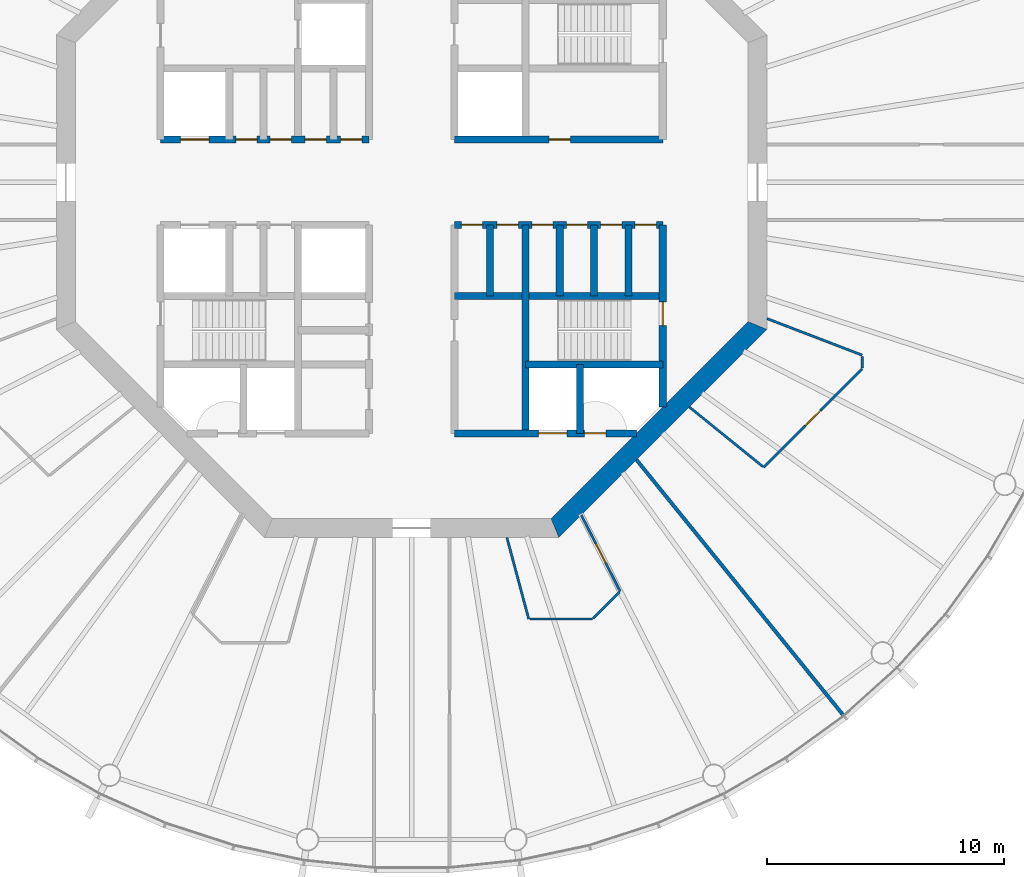
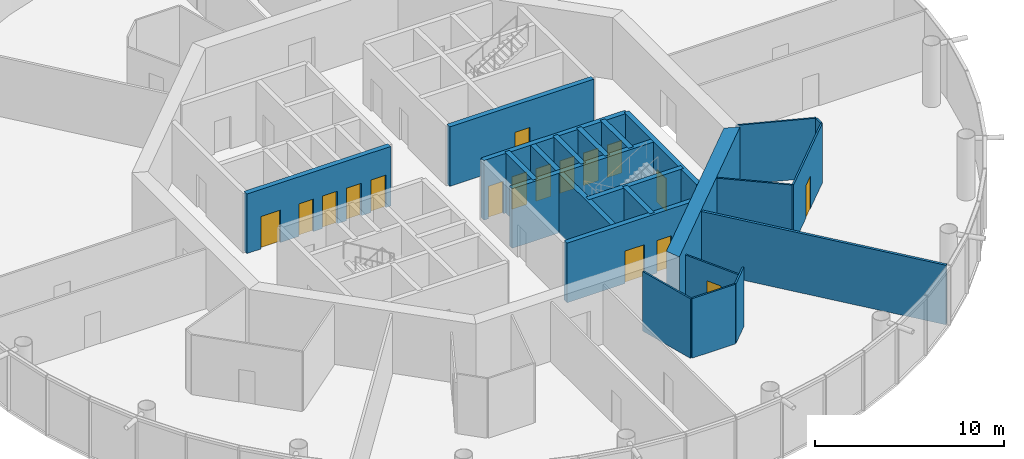
# One storey, part 4 of 13: 23 walls, 17 doors, 17 openings.
"""IFC4 building model written with IfcOpenShell, lengths in metres."""

from ifc_helpers import new_model, si_unit, direction, frame, frame_2d, origin, place, context, subcontext, project, spatial, polyline, rectangle, outline, extrude, material, layer, layer_set, type_object, element, fill, save


model = new_model("IFC4")

# Units and contexts
model_context = context("Model", 3, precision=1e-05, world=origin(), true_north=direction((0.0, 1.0)))
body_context = subcontext(model_context, "Body", "Model", "MODEL_VIEW")
ifc_project = project(units=[si_unit("LENGTHUNIT", "METRE"), si_unit("AREAUNIT", "SQUARE_METRE"), si_unit("VOLUMEUNIT", "CUBIC_METRE"), si_unit("PLANEANGLEUNIT", "RADIAN"), si_unit("MASSUNIT", "GRAM", prefix="KILO")], contexts=[model_context])

# Site, building, storey
site_placement = place(None, origin())
site = spatial("IfcSite", under=ifc_project, at=site_placement, CompositionType="ELEMENT")
building_placement = place(site_placement, origin())
building = spatial("IfcBuilding", under=site, at=building_placement, Name="Entoto Ring Tower", CompositionType="ELEMENT")
storey_placement = place(building_placement, frame((0.0, 0.0, 290.0)))
storey = spatial("IfcBuildingStorey", under=building, at=storey_placement, Name="L66", CompositionType="ELEMENT", Elevation=290.0)

# Wall, opening, door
ifc_material_1 = material(Name="Concrete C40/50", Category="concrete")
ifc_layer_1 = layer(ifc_material_1, 0.300048828125)
ifc_layer_set_1 = layer_set([ifc_layer_1], Name="Concrete C40/50")
wall_type_1 = type_object("IfcWallType", Name="Core enclosure wall 300 mm reinforced concrete", PredefinedType="SOLIDWALL", material=ifc_layer_set_1)
wall_1_placement = place(storey_placement, frame((100.60009765625, 70.518310546875, 0.0), z_axis=(0.0, 0.0, 1.0), x_axis=(0.0, 1.0, 0.0)))
wall_1 = element("IfcWall", 1, at=wall_1_placement, inside=storey, type_object=wall_type_1, Name="wall-L66-001", PredefinedType="SOLIDWALL", context=body_context, shape_type="SweptSolid", body=[
    extrude(rectangle(XDim=7.681640625, YDim=0.300048828125, at=frame_2d((3.8408203125, 0.0))), origin(), (0.0, 0.0, 1.0), 3.85009765625),
])
opening_1_placement = place(wall_1_placement, frame((3.431884765625, 0.0, 0.0)))
opening_1 = element("IfcOpeningElement", 2, at=opening_1_placement, cuts=wall_1, Name="Opening K-31", PredefinedType="OPENING", context=body_context, shape_type="SweptSolid", body=[
    extrude(rectangle(XDim=1.0, YDim=2.10009765625, at=frame_2d((0.5, 1.050048828125))), frame((0.0, 0.16015625, 0.0), z_axis=(0.0, -1.0, 0.0), x_axis=(1.0, 0.0, 0.0)), (0.0, 0.0, 1.0), 0.320068359375),
])
ifc_material_2 = material(Name="Steel door leaf, fire rated", Category="steel")
ifc_layer_2 = layer(ifc_material_2, 0.050048828125)
ifc_layer_set_2 = layer_set([ifc_layer_2], Name="Steel door leaf, fire rated")
door_type_1 = type_object("IfcDoorType", Name="Fire door FD60 1000 x 2100 single leaf", OperationType="NOTDEFINED", PredefinedType="DOOR", material=ifc_layer_set_2)
door_1_placement = place(opening_1_placement, origin())
door_1 = element("IfcDoor", 3, at=door_1_placement, inside=storey, type_object=door_type_1, Name="Door K-31", OperationType="SINGLE_SWING_RIGHT", OverallHeight=2.10009765625, OverallWidth=1.0, PredefinedType="DOOR", context=body_context, shape_type="SweptSolid", body=[
    extrude(rectangle(XDim=1.0, YDim=2.10009765625, at=frame_2d((0.5, 1.050048828125))), frame((0.0, 0.02490234375, 0.0), z_axis=(0.0, -1.0, 0.0), x_axis=(1.0, 0.0, 0.0)), (0.0, 0.0, 1.0), 0.050048828125),
])
fill(opening_1, door_1)

# Walls
for number, where, z_axis, x_axis, name in (
    (4, (99.14990234375, 75.199951171875, 0.0), (0.0, 0.0, 1.0), (0.0, 1.0, 0.0), "wall-L66-003"),
    (5, (97.699951171875, 75.199951171875, 0.0), (0.0, 0.0, 1.0), (0.0, 1.0, 0.0), "wall-L66-004"),
):
    element("IfcWall", number, at=place(storey_placement, frame(where, z_axis=z_axis, x_axis=x_axis)), inside=storey, type_object=wall_type_1, Name=name, PredefinedType="SOLIDWALL", context=body_context, shape_type="SweptSolid", body=[
        extrude(rectangle(XDim=3.0, YDim=0.300048828125, at=frame_2d((1.5, 0.0))), origin(), (0.0, 0.0, 1.0), 3.85009765625),
    ])
wall_2_placement = place(storey_placement, frame((97.10009765625, 69.39990234375, 0.0), z_axis=(0.0, 0.0, 1.0), x_axis=(0.0, 1.0, 0.0)))
element("IfcWall", 6, at=wall_2_placement, inside=storey, type_object=wall_type_1, Name="wall-L66-005", PredefinedType="SOLIDWALL", context=body_context, shape_type="SweptSolid", body=[
    extrude(rectangle(XDim=2.900146484375, YDim=0.300048828125, at=frame_2d((1.4501953125, 0.0))), origin(), (0.0, 0.0, 1.0), 3.85009765625),
])
wall_3_placement = place(storey_placement, frame((96.25, 75.199951171875, 0.0), z_axis=(0.0, 0.0, 1.0), x_axis=(0.0, 1.0, 0.0)))
element("IfcWall", 7, at=wall_3_placement, inside=storey, type_object=wall_type_1, Name="wall-L66-007", PredefinedType="SOLIDWALL", context=body_context, shape_type="SweptSolid", body=[
    extrude(rectangle(XDim=3.0, YDim=0.300048828125, at=frame_2d((1.5, 0.0))), origin(), (0.0, 0.0, 1.0), 3.85009765625),
])
wall_4_placement = place(storey_placement, frame((94.800048828125, 69.39990234375, 0.0), z_axis=(0.0, 0.0, 1.0), x_axis=(0.0, 1.0, 0.0)))
element("IfcWall", 8, at=wall_4_placement, inside=storey, type_object=wall_type_1, Name="wall-L66-008", PredefinedType="SOLIDWALL", context=body_context, shape_type="SweptSolid", body=[
    extrude(rectangle(XDim=8.800048828125, YDim=0.300048828125, at=frame_2d((4.39990234375, 0.0))), origin(), (0.0, 0.0, 1.0), 3.85009765625),
])
wall_5_placement = place(storey_placement, frame((93.300048828125, 75.199951171875, 0.0), z_axis=(0.0, 0.0, 1.0), x_axis=(0.0, 1.0, 0.0)))
element("IfcWall", 9, at=wall_5_placement, inside=storey, type_object=wall_type_1, Name="wall-L66-010", PredefinedType="SOLIDWALL", context=body_context, shape_type="SweptSolid", body=[
    extrude(rectangle(XDim=3.0, YDim=0.300048828125, at=frame_2d((1.5, 0.0))), origin(), (0.0, 0.0, 1.0), 3.85009765625),
])

# Wall, openings, doors
wall_6_placement = place(storey_placement, frame((91.800048828125, 69.39990234375, 0.0), z_axis=(0.0, 0.0, 1.0), x_axis=(1.0, 0.0, 0.0)))
wall_6 = element("IfcWall", 10, at=wall_6_placement, inside=storey, type_object=wall_type_1, Name="wall-L66-026", PredefinedType="SOLIDWALL", context=body_context, shape_type="SweptSolid", body=[
    extrude(rectangle(XDim=7.681640625, YDim=0.300048828125, at=frame_2d((3.8408203125, 0.0))), origin(), (0.0, 0.0, 1.0), 3.85009765625),
])
opening_2_placement = place(wall_6_placement, frame((3.550048828125, 0.0, 0.0)))
opening_2 = element("IfcOpeningElement", 11, at=opening_2_placement, cuts=wall_6, Name="Opening LD", PredefinedType="OPENING", context=body_context, shape_type="SweptSolid", body=[
    extrude(rectangle(XDim=1.199951171875, YDim=2.10009765625, at=frame_2d((0.60009765625, 1.050048828125))), frame((0.0, 0.16015625, 0.0), z_axis=(0.0, -1.0, 0.0), x_axis=(1.0, 0.0, 0.0)), (0.0, 0.0, 1.0), 0.320068359375),
])
opening_3_placement = place(wall_6_placement, frame((5.5, 0.0, 0.0)))
opening_3 = element("IfcOpeningElement", 12, at=opening_3_placement, cuts=wall_6, Name="Opening K-34", PredefinedType="OPENING", context=body_context, shape_type="SweptSolid", body=[
    extrude(rectangle(XDim=0.89990234375, YDim=2.10009765625, at=frame_2d((0.449951171875, 1.050048828125))), frame((0.0, 0.16015625, 0.0), z_axis=(0.0, -1.0, 0.0), x_axis=(1.0, 0.0, 0.0)), (0.0, 0.0, 1.0), 0.320068359375),
])
ifc_material_3 = material(Name="Steel and glass door leaf", Category="steel")
ifc_layer_3 = layer(ifc_material_3, 0.050048828125)
ifc_layer_set_3 = layer_set([ifc_layer_3], Name="Steel and glass door leaf")
door_type_2 = type_object("IfcDoorType", Name="Landing door 1200 x 2100 sliding", OperationType="DOUBLE_DOOR_SLIDING", PredefinedType="DOOR", material=ifc_layer_set_3)
door_2_placement = place(opening_2_placement, origin())
door_2 = element("IfcDoor", 13, at=door_2_placement, inside=storey, type_object=door_type_2, Name="Landing door LB2-HR", OperationType="SLIDING_TO_RIGHT", OverallHeight=2.10009765625, OverallWidth=1.199951171875, PredefinedType="DOOR", context=body_context, shape_type="SweptSolid", body=[
    extrude(rectangle(XDim=1.199951171875, YDim=2.10009765625, at=frame_2d((0.60009765625, 1.050048828125))), frame((0.0, 0.02490234375, 0.0), z_axis=(0.0, -1.0, 0.0), x_axis=(1.0, 0.0, 0.0)), (0.0, 0.0, 1.0), 0.050048828125),
])
fill(opening_2, door_2)
ifc_material_4 = material(Name="Steel door leaf, fire rated", Category="steel")
ifc_layer_4 = layer(ifc_material_4, 0.050048828125)
ifc_layer_set_4 = layer_set([ifc_layer_4], Name="Steel door leaf, fire rated")
door_type_3 = type_object("IfcDoorType", Name="Riser door FD60 900 x 2100 single leaf", OperationType="NOTDEFINED", PredefinedType="DOOR", material=ifc_layer_set_4)
door_3_placement = place(opening_3_placement, origin())
door_3 = element("IfcDoor", 14, at=door_3_placement, inside=storey, type_object=door_type_3, Name="Door K-34", OperationType="SINGLE_SWING_LEFT", OverallHeight=2.10009765625, OverallWidth=0.89990234375, PredefinedType="DOOR", context=body_context, shape_type="SweptSolid", body=[
    extrude(rectangle(XDim=0.89990234375, YDim=2.10009765625, at=frame_2d((0.449951171875, 1.050048828125))), frame((0.0, 0.02490234375, 0.0), z_axis=(0.0, -1.0, 0.0), x_axis=(1.0, 0.0, 0.0)), (0.0, 0.0, 1.0), 0.050048828125),
])
fill(opening_3, door_3)

# Walls
wall_7_placement = place(storey_placement, frame((94.800048828125, 72.300048828125, 0.0), z_axis=(0.0, 0.0, 1.0), x_axis=(1.0, 0.0, 0.0)))
element("IfcWall", 15, at=wall_7_placement, inside=storey, type_object=wall_type_1, Name="wall-L66-028", PredefinedType="SOLIDWALL", context=body_context, shape_type="SweptSolid", body=[
    extrude(rectangle(XDim=5.800048828125, YDim=0.300048828125, at=frame_2d((2.89990234375, 0.0))), origin(), (0.0, 0.0, 1.0), 3.85009765625),
])
wall_8_placement = place(storey_placement, frame((91.800048828125, 75.199951171875, 0.0), z_axis=(0.0, 0.0, 1.0), x_axis=(1.0, 0.0, 0.0)))
element("IfcWall", 16, at=wall_8_placement, inside=storey, type_object=wall_type_1, Name="wall-L66-031", PredefinedType="SOLIDWALL", context=body_context, shape_type="SweptSolid", body=[
    extrude(rectangle(XDim=8.800048828125, YDim=0.300048828125, at=frame_2d((4.39990234375, 0.0))), origin(), (0.0, 0.0, 1.0), 3.85009765625),
])

# Wall, openings, doors
wall_9_placement = place(storey_placement, frame((91.800048828125, 78.199951171875, 0.0), z_axis=(0.0, 0.0, 1.0), x_axis=(1.0, 0.0, 0.0)))
wall_9 = element("IfcWall", 17, at=wall_9_placement, inside=storey, type_object=wall_type_1, Name="wall-L66-033", PredefinedType="SOLIDWALL", context=body_context, shape_type="SweptSolid", body=[
    extrude(rectangle(XDim=8.800048828125, YDim=0.300048828125, at=frame_2d((4.39990234375, 0.0))), origin(), (0.0, 0.0, 1.0), 3.85009765625),
])
opening_4_placement = place(wall_9_placement, frame((3.27490234375, 0.0, 0.0)))
opening_4 = element("IfcOpeningElement", 18, at=opening_4_placement, cuts=wall_9, Name="Opening K-14", PredefinedType="OPENING", context=body_context, shape_type="SweptSolid", body=[
    extrude(rectangle(XDim=0.89990234375, YDim=2.10009765625, at=frame_2d((0.449951171875, 1.050048828125))), frame((0.0, 0.16015625, 0.0), z_axis=(0.0, -1.0, 0.0), x_axis=(1.0, 0.0, 0.0)), (0.0, 0.0, 1.0), 0.320068359375),
])
opening_5_placement = place(wall_9_placement, frame((4.72509765625, 0.0, 0.0)))
opening_5 = element("IfcOpeningElement", 19, at=opening_5_placement, cuts=wall_9, Name="Opening K-15", PredefinedType="OPENING", context=body_context, shape_type="SweptSolid", body=[
    extrude(rectangle(XDim=0.89990234375, YDim=2.10009765625, at=frame_2d((0.449951171875, 1.050048828125))), frame((0.0, 0.16015625, 0.0), z_axis=(0.0, -1.0, 0.0), x_axis=(1.0, 0.0, 0.0)), (0.0, 0.0, 1.0), 0.320068359375),
])
opening_6_placement = place(wall_9_placement, frame((6.175048828125, 0.0, 0.0)))
opening_6 = element("IfcOpeningElement", 20, at=opening_6_placement, cuts=wall_9, Name="Opening K-16", PredefinedType="OPENING", context=body_context, shape_type="SweptSolid", body=[
    extrude(rectangle(XDim=0.89990234375, YDim=2.10009765625, at=frame_2d((0.449951171875, 1.050048828125))), frame((0.0, 0.16015625, 0.0), z_axis=(0.0, -1.0, 0.0), x_axis=(1.0, 0.0, 0.0)), (0.0, 0.0, 1.0), 0.320068359375),
])
opening_7_placement = place(wall_9_placement, frame((7.625, 0.0, 0.0)))
opening_7 = element("IfcOpeningElement", 21, at=opening_7_placement, cuts=wall_9, Name="Opening K-57", PredefinedType="OPENING", context=body_context, shape_type="SweptSolid", body=[
    extrude(rectangle(XDim=0.89990234375, YDim=2.10009765625, at=frame_2d((0.449951171875, 1.050048828125))), frame((0.0, 0.16015625, 0.0), z_axis=(0.0, -1.0, 0.0), x_axis=(1.0, 0.0, 0.0)), (0.0, 0.0, 1.0), 0.320068359375),
])
opening_8_placement = place(wall_9_placement, frame((0.300048828125, 0.0, 0.0)))
opening_8 = element("IfcOpeningElement", 22, at=opening_8_placement, cuts=wall_9, Name="Opening K-79", PredefinedType="OPENING", context=body_context, shape_type="SweptSolid", body=[
    extrude(rectangle(XDim=0.89990234375, YDim=2.10009765625, at=frame_2d((0.449951171875, 1.050048828125))), frame((0.0, 0.16015625, 0.0), z_axis=(0.0, -1.0, 0.0), x_axis=(1.0, 0.0, 0.0)), (0.0, 0.0, 1.0), 0.320068359375),
])
opening_9_placement = place(wall_9_placement, frame((1.800048828125, 0.0, 0.0)))
opening_9 = element("IfcOpeningElement", 23, at=opening_9_placement, cuts=wall_9, Name="Opening K-81", PredefinedType="OPENING", context=body_context, shape_type="SweptSolid", body=[
    extrude(rectangle(XDim=0.89990234375, YDim=2.10009765625, at=frame_2d((0.449951171875, 1.050048828125))), frame((0.0, 0.16015625, 0.0), z_axis=(0.0, -1.0, 0.0), x_axis=(1.0, 0.0, 0.0)), (0.0, 0.0, 1.0), 0.320068359375),
])
ifc_material_5 = material(Name="Steel door leaf, fire rated", Category="steel")
ifc_layer_5 = layer(ifc_material_5, 0.050048828125)
ifc_layer_set_5 = layer_set([ifc_layer_5], Name="Steel door leaf, fire rated")
door_type_4 = type_object("IfcDoorType", Name="Core door 900 x 2100 single leaf", OperationType="NOTDEFINED", PredefinedType="DOOR", material=ifc_layer_set_5)
door_4_placement = place(opening_4_placement, frame((0.89990234375, 0.0, 0.0), z_axis=(0.0, 0.0, 1.0), x_axis=(-1.0, 0.0, 0.0)))
door_4 = element("IfcDoor", 24, at=door_4_placement, inside=storey, type_object=door_type_4, Name="Door K-14", OperationType="SINGLE_SWING_LEFT", OverallHeight=2.10009765625, OverallWidth=0.89990234375, PredefinedType="DOOR", context=body_context, shape_type="SweptSolid", body=[
    extrude(rectangle(XDim=0.89990234375, YDim=2.10009765625, at=frame_2d((0.449951171875, 1.050048828125))), frame((0.0, 0.02490234375, 0.0), z_axis=(0.0, -1.0, 0.0), x_axis=(1.0, 0.0, 0.0)), (0.0, 0.0, 1.0), 0.050048828125),
])
fill(opening_4, door_4)
door_5_placement = place(opening_5_placement, frame((0.89990234375, 0.0, 0.0), z_axis=(0.0, 0.0, 1.0), x_axis=(-1.0, 0.0, 0.0)))
door_5 = element("IfcDoor", 25, at=door_5_placement, inside=storey, type_object=door_type_4, Name="Door K-15", OperationType="SINGLE_SWING_RIGHT", OverallHeight=2.10009765625, OverallWidth=0.89990234375, PredefinedType="DOOR", context=body_context, shape_type="SweptSolid", body=[
    extrude(rectangle(XDim=0.89990234375, YDim=2.10009765625, at=frame_2d((0.449951171875, 1.050048828125))), frame((0.0, 0.02490234375, 0.0), z_axis=(0.0, -1.0, 0.0), x_axis=(1.0, 0.0, 0.0)), (0.0, 0.0, 1.0), 0.050048828125),
])
fill(opening_5, door_5)
door_6_placement = place(opening_6_placement, frame((0.89990234375, 0.0, 0.0), z_axis=(0.0, 0.0, 1.0), x_axis=(-1.0, 0.0, 0.0)))
door_6 = element("IfcDoor", 26, at=door_6_placement, inside=storey, type_object=door_type_4, Name="Door K-16", OperationType="SINGLE_SWING_RIGHT", OverallHeight=2.10009765625, OverallWidth=0.89990234375, PredefinedType="DOOR", context=body_context, shape_type="SweptSolid", body=[
    extrude(rectangle(XDim=0.89990234375, YDim=2.10009765625, at=frame_2d((0.449951171875, 1.050048828125))), frame((0.0, 0.02490234375, 0.0), z_axis=(0.0, -1.0, 0.0), x_axis=(1.0, 0.0, 0.0)), (0.0, 0.0, 1.0), 0.050048828125),
])
fill(opening_6, door_6)
door_7_placement = place(opening_7_placement, frame((0.89990234375, 0.0, 0.0), z_axis=(0.0, 0.0, 1.0), x_axis=(-1.0, 0.0, 0.0)))
door_7 = element("IfcDoor", 27, at=door_7_placement, inside=storey, type_object=door_type_4, Name="Door K-57", OperationType="SINGLE_SWING_RIGHT", OverallHeight=2.10009765625, OverallWidth=0.89990234375, PredefinedType="DOOR", context=body_context, shape_type="SweptSolid", body=[
    extrude(rectangle(XDim=0.89990234375, YDim=2.10009765625, at=frame_2d((0.449951171875, 1.050048828125))), frame((0.0, 0.02490234375, 0.0), z_axis=(0.0, -1.0, 0.0), x_axis=(1.0, 0.0, 0.0)), (0.0, 0.0, 1.0), 0.050048828125),
])
fill(opening_7, door_7)
door_8_placement = place(opening_8_placement, frame((0.89990234375, 0.0, 0.0), z_axis=(0.0, 0.0, 1.0), x_axis=(-1.0, 0.0, 0.0)))
door_8 = element("IfcDoor", 28, at=door_8_placement, inside=storey, type_object=door_type_4, Name="Door K-79", OperationType="SINGLE_SWING_RIGHT", OverallHeight=2.10009765625, OverallWidth=0.89990234375, PredefinedType="DOOR", context=body_context, shape_type="SweptSolid", body=[
    extrude(rectangle(XDim=0.89990234375, YDim=2.10009765625, at=frame_2d((0.449951171875, 1.050048828125))), frame((0.0, 0.02490234375, 0.0), z_axis=(0.0, -1.0, 0.0), x_axis=(1.0, 0.0, 0.0)), (0.0, 0.0, 1.0), 0.050048828125),
])
fill(opening_8, door_8)
door_9_placement = place(opening_9_placement, frame((0.89990234375, 0.0, 0.0), z_axis=(0.0, 0.0, 1.0), x_axis=(-1.0, 0.0, 0.0)))
door_9 = element("IfcDoor", 29, at=door_9_placement, inside=storey, type_object=door_type_4, Name="Door K-81", OperationType="SINGLE_SWING_RIGHT", OverallHeight=2.10009765625, OverallWidth=0.89990234375, PredefinedType="DOOR", context=body_context, shape_type="SweptSolid", body=[
    extrude(rectangle(XDim=0.89990234375, YDim=2.10009765625, at=frame_2d((0.449951171875, 1.050048828125))), frame((0.0, 0.02490234375, 0.0), z_axis=(0.0, -1.0, 0.0), x_axis=(1.0, 0.0, 0.0)), (0.0, 0.0, 1.0), 0.050048828125),
])
fill(opening_9, door_9)

wall_10_placement = place(storey_placement, frame((79.39990234375, 81.800048828125, 0.0), z_axis=(0.0, 0.0, 1.0), x_axis=(1.0, 0.0, 0.0)))
wall_10 = element("IfcWall", 30, at=wall_10_placement, inside=storey, type_object=wall_type_1, Name="wall-L66-034", PredefinedType="SOLIDWALL", context=body_context, shape_type="SweptSolid", body=[
    extrude(rectangle(XDim=8.800048828125, YDim=0.300048828125, at=frame_2d((4.39990234375, 0.0))), origin(), (0.0, 0.0, 1.0), 3.85009765625),
])
opening_10_placement = place(wall_10_placement, frame((0.85009765625, 0.0, 0.0)))
opening_10 = element("IfcOpeningElement", 31, at=opening_10_placement, cuts=wall_10, Name="Opening LD", PredefinedType="OPENING", context=body_context, shape_type="SweptSolid", body=[
    extrude(rectangle(XDim=1.199951171875, YDim=2.10009765625, at=frame_2d((0.60009765625, 1.050048828125))), frame((0.0, 0.16015625, 0.0), z_axis=(0.0, -1.0, 0.0), x_axis=(1.0, 0.0, 0.0)), (0.0, 0.0, 1.0), 0.320068359375),
])
opening_11_placement = place(wall_10_placement, frame((3.175048828125, 0.0, 0.0)))
opening_11 = element("IfcOpeningElement", 32, at=opening_11_placement, cuts=wall_10, Name="Opening K-12", PredefinedType="OPENING", context=body_context, shape_type="SweptSolid", body=[
    extrude(rectangle(XDim=0.89990234375, YDim=2.10009765625, at=frame_2d((0.449951171875, 1.050048828125))), frame((0.0, 0.16015625, 0.0), z_axis=(0.0, -1.0, 0.0), x_axis=(1.0, 0.0, 0.0)), (0.0, 0.0, 1.0), 0.320068359375),
])
opening_12_placement = place(wall_10_placement, frame((4.625, 0.0, 0.0)))
opening_12 = element("IfcOpeningElement", 33, at=opening_12_placement, cuts=wall_10, Name="Opening K-46", PredefinedType="OPENING", context=body_context, shape_type="SweptSolid", body=[
    extrude(rectangle(XDim=0.89990234375, YDim=2.10009765625, at=frame_2d((0.449951171875, 1.050048828125))), frame((0.0, 0.16015625, 0.0), z_axis=(0.0, -1.0, 0.0), x_axis=(1.0, 0.0, 0.0)), (0.0, 0.0, 1.0), 0.320068359375),
])
opening_13_placement = place(wall_10_placement, frame((6.10009765625, 0.0, 0.0)))
opening_13 = element("IfcOpeningElement", 34, at=opening_13_placement, cuts=wall_10, Name="Opening K-25", PredefinedType="OPENING", context=body_context, shape_type="SweptSolid", body=[
    extrude(rectangle(XDim=0.89990234375, YDim=2.10009765625, at=frame_2d((0.449951171875, 1.050048828125))), frame((0.0, 0.16015625, 0.0), z_axis=(0.0, -1.0, 0.0), x_axis=(1.0, 0.0, 0.0)), (0.0, 0.0, 1.0), 0.320068359375),
])
opening_14_placement = place(wall_10_placement, frame((7.60009765625, 0.0, 0.0)))
opening_14 = element("IfcOpeningElement", 35, at=opening_14_placement, cuts=wall_10, Name="Opening K-77", PredefinedType="OPENING", context=body_context, shape_type="SweptSolid", body=[
    extrude(rectangle(XDim=0.89990234375, YDim=2.10009765625, at=frame_2d((0.449951171875, 1.050048828125))), frame((0.0, 0.16015625, 0.0), z_axis=(0.0, -1.0, 0.0), x_axis=(1.0, 0.0, 0.0)), (0.0, 0.0, 1.0), 0.320068359375),
])
door_10_placement = place(opening_11_placement, origin())
door_10 = element("IfcDoor", 36, at=door_10_placement, inside=storey, type_object=door_type_4, Name="Door K-12", OperationType="SINGLE_SWING_RIGHT", OverallHeight=2.10009765625, OverallWidth=0.89990234375, PredefinedType="DOOR", context=body_context, shape_type="SweptSolid", body=[
    extrude(rectangle(XDim=0.89990234375, YDim=2.10009765625, at=frame_2d((0.449951171875, 1.050048828125))), frame((0.0, 0.02490234375, 0.0), z_axis=(0.0, -1.0, 0.0), x_axis=(1.0, 0.0, 0.0)), (0.0, 0.0, 1.0), 0.050048828125),
])
fill(opening_11, door_10)
door_11_placement = place(opening_12_placement, origin())
door_11 = element("IfcDoor", 37, at=door_11_placement, inside=storey, type_object=door_type_4, Name="Door K-46", OperationType="SINGLE_SWING_RIGHT", OverallHeight=2.10009765625, OverallWidth=0.89990234375, PredefinedType="DOOR", context=body_context, shape_type="SweptSolid", body=[
    extrude(rectangle(XDim=0.89990234375, YDim=2.10009765625, at=frame_2d((0.449951171875, 1.050048828125))), frame((0.0, 0.02490234375, 0.0), z_axis=(0.0, -1.0, 0.0), x_axis=(1.0, 0.0, 0.0)), (0.0, 0.0, 1.0), 0.050048828125),
])
fill(opening_12, door_11)
door_12_placement = place(opening_13_placement, origin())
door_12 = element("IfcDoor", 38, at=door_12_placement, inside=storey, type_object=door_type_4, Name="Door K-25", OperationType="SINGLE_SWING_LEFT", OverallHeight=2.10009765625, OverallWidth=0.89990234375, PredefinedType="DOOR", context=body_context, shape_type="SweptSolid", body=[
    extrude(rectangle(XDim=0.89990234375, YDim=2.10009765625, at=frame_2d((0.449951171875, 1.050048828125))), frame((0.0, 0.02490234375, 0.0), z_axis=(0.0, -1.0, 0.0), x_axis=(1.0, 0.0, 0.0)), (0.0, 0.0, 1.0), 0.050048828125),
])
fill(opening_13, door_12)
door_13_placement = place(opening_14_placement, origin())
door_13 = element("IfcDoor", 39, at=door_13_placement, inside=storey, type_object=door_type_4, Name="Door K-77", OperationType="SINGLE_SWING_LEFT", OverallHeight=2.10009765625, OverallWidth=0.89990234375, PredefinedType="DOOR", context=body_context, shape_type="SweptSolid", body=[
    extrude(rectangle(XDim=0.89990234375, YDim=2.10009765625, at=frame_2d((0.449951171875, 1.050048828125))), frame((0.0, 0.02490234375, 0.0), z_axis=(0.0, -1.0, 0.0), x_axis=(1.0, 0.0, 0.0)), (0.0, 0.0, 1.0), 0.050048828125),
])
fill(opening_14, door_13)
door_14_placement = place(opening_10_placement, origin())
door_14 = element("IfcDoor", 40, at=door_14_placement, inside=storey, type_object=door_type_2, Name="Landing door SH1", OperationType="SLIDING_TO_RIGHT", OverallHeight=2.10009765625, OverallWidth=1.199951171875, PredefinedType="DOOR", context=body_context, shape_type="SweptSolid", body=[
    extrude(rectangle(XDim=1.199951171875, YDim=2.10009765625, at=frame_2d((0.60009765625, 1.050048828125))), frame((0.0, 0.02490234375, 0.0), z_axis=(0.0, -1.0, 0.0), x_axis=(1.0, 0.0, 0.0)), (0.0, 0.0, 1.0), 0.050048828125),
])
fill(opening_10, door_14)

# Wall, opening, door
wall_11_placement = place(storey_placement, frame((91.800048828125, 81.800048828125, 0.0), z_axis=(0.0, 0.0, 1.0), x_axis=(1.0, 0.0, 0.0)))
wall_11 = element("IfcWall", 41, at=wall_11_placement, inside=storey, type_object=wall_type_1, Name="wall-L66-035", PredefinedType="SOLIDWALL", context=body_context, shape_type="SweptSolid", body=[
    extrude(rectangle(XDim=8.800048828125, YDim=0.300048828125, at=frame_2d((4.39990234375, 0.0))), origin(), (0.0, 0.0, 1.0), 3.85009765625),
])
opening_15_placement = place(wall_11_placement, frame((4.0, 0.0, 0.0)))
opening_15 = element("IfcOpeningElement", 42, at=opening_15_placement, cuts=wall_11, Name="Opening K-11", PredefinedType="OPENING", context=body_context, shape_type="SweptSolid", body=[
    extrude(rectangle(XDim=0.89990234375, YDim=2.10009765625, at=frame_2d((0.449951171875, 1.050048828125))), frame((0.0, 0.16015625, 0.0), z_axis=(0.0, -1.0, 0.0), x_axis=(1.0, 0.0, 0.0)), (0.0, 0.0, 1.0), 0.320068359375),
])
door_15_placement = place(opening_15_placement, origin())
door_15 = element("IfcDoor", 43, at=door_15_placement, inside=storey, type_object=door_type_4, Name="Door K-11", OperationType="SINGLE_SWING_LEFT", OverallHeight=2.10009765625, OverallWidth=0.89990234375, PredefinedType="DOOR", context=body_context, shape_type="SweptSolid", body=[
    extrude(rectangle(XDim=0.89990234375, YDim=2.10009765625, at=frame_2d((0.449951171875, 1.050048828125))), frame((0.0, 0.02490234375, 0.0), z_axis=(0.0, -1.0, 0.0), x_axis=(1.0, 0.0, 0.0)), (0.0, 0.0, 1.0), 0.050048828125),
])
fill(opening_15, door_15)

# Wall
ifc_material_6 = material(Name="Concrete C40/50", Category="concrete")
ifc_layer_6 = layer(ifc_material_6, 0.800048828125)
ifc_layer_set_6 = layer_set([ifc_layer_6], Name="Concrete C40/50")
wall_type_2 = type_object("IfcWallType", Name="Core shear wall 800 mm reinforced concrete C40/50", PredefinedType="SHEAR", material=ifc_layer_set_6)
wall_12_placement = place(storey_placement, frame((96.047607421875, 65.39990234375, 0.0), z_axis=(0.0, 0.0, 1.0), x_axis=(0.707106781187, 0.707106781187, 0.0)))
element("IfcWall", 44, at=wall_12_placement, inside=storey, type_object=wall_type_2, Name="wall-L66-core-7", PredefinedType="SHEAR", context=body_context, shape_type="SweptSolid", body=[
    extrude(outline(polyline([(-0.165771484375, -0.39990234375), (12.2607421875, -0.39990234375), (11.92919921875, 0.39990234375), (0.165771484375, 0.39990234375), (-0.165771484375, -0.39990234375)])), origin(), (0.0, 0.0, 1.0), 4.0),
])

# Wall, opening, door
ifc_material_7 = material(Name="Plasterboard on steel studs", Category="steel")
ifc_layer_7 = layer(ifc_material_7, 0.10009765625)
ifc_layer_set_7 = layer_set([ifc_layer_7], Name="Plasterboard on steel studs")
wall_type_3 = type_object("IfcWallType", Name="Partition 100 mm plasterboard on steel studs", PredefinedType="PARTITIONING", material=ifc_layer_set_7)
wall_13_placement = place(storey_placement, frame((104.86279296875, 67.96435546875, 0.0), z_axis=(0.0, 0.0, 1.0), x_axis=(0.707106781187, 0.707106781187, 0.0)))
wall_13 = element("IfcWall", 45, at=wall_13_placement, inside=storey, type_object=wall_type_3, Name="partition-L66-014", PredefinedType="PARTITIONING", context=body_context, shape_type="SweptSolid", body=[
    extrude(rectangle(XDim=5.879150390625, YDim=0.10009765625, at=frame_2d((2.939453125, 0.0))), origin(), (0.0, 0.0, 1.0), 3.85009765625),
])
opening_16_placement = place(wall_13_placement, frame((2.489501953125, 0.0, 0.0)))
opening_16 = element("IfcOpeningElement", 46, at=opening_16_placement, cuts=wall_13, Name="Opening A29-D16", PredefinedType="OPENING", context=body_context, shape_type="SweptSolid", body=[
    extrude(rectangle(XDim=0.89990234375, YDim=2.10009765625, at=frame_2d((0.449951171875, 1.050048828125))), frame((0.0, 0.06005859375, 0.0), z_axis=(0.0, -1.0, 0.0), x_axis=(1.0, 0.0, 0.0)), (0.0, 0.0, 1.0), 0.1201171875),
])
ifc_material_8 = material(Name="Veneered timber door leaf in timber frame", Category="wood")
door_type_5 = type_object("IfcDoorType", Name="Door 900 x 2100 single leaf timber veneer", OperationType="NOTDEFINED", PredefinedType="DOOR", material=ifc_material_8)
door_16_placement = place(opening_16_placement, origin())
door_16 = element("IfcDoor", 47, at=door_16_placement, inside=storey, type_object=door_type_5, Name="Door A29-D16", OperationType="SINGLE_SWING_LEFT", OverallHeight=2.10009765625, OverallWidth=0.89990234375, PredefinedType="DOOR", context=body_context, shape_type="SweptSolid", body=[
    extrude(rectangle(XDim=0.89990234375, YDim=2.10009765625, at=frame_2d((0.449951171875, 1.050048828125))), frame((0.0, 0.02490234375, 0.0), z_axis=(0.0, -1.0, 0.0), x_axis=(1.0, 0.0, 0.0)), (0.0, 0.0, 1.0), 0.050048828125),
])
fill(opening_16, door_16)

# Walls
wall_14_placement = place(storey_placement, frame((109.02001953125, 72.698974609375, 0.0), z_axis=(0.0, 0.0, 1.0), x_axis=(-0.933593802997, 0.358333100628, 0.0)))
element("IfcWall", 48, at=wall_14_placement, inside=storey, type_object=wall_type_3, Name="partition-L66-025", PredefinedType="PARTITIONING", context=body_context, shape_type="SweptSolid", body=[
    extrude(rectangle(XDim=4.305908203125, YDim=0.10009765625, at=frame_2d((2.15283203125, 0.0))), origin(), (0.0, 0.0, 1.0), 3.85009765625),
])
wall_15_placement = place(storey_placement, frame((104.82421875, 67.99560546875, 0.0), z_axis=(0.0, 0.0, 1.0), x_axis=(-0.777132362366, 0.629337184158, 0.0)))
element("IfcWall", 49, at=wall_15_placement, inside=storey, type_object=wall_type_3, Name="partition-L66-026", PredefinedType="PARTITIONING", context=body_context, shape_type="SweptSolid", body=[
    extrude(rectangle(XDim=3.99267578125, YDim=0.10009765625, at=frame_2d((1.996337890625, 0.0))), origin(), (0.0, 0.0, 1.0), 3.85009765625),
])
wall_16_placement = place(storey_placement, frame((94.94091796875, 61.56005859375, 0.0), z_axis=(0.0, 0.0, 1.0), x_axis=(-0.258793196515, 0.965932752026, 0.0)))
element("IfcWall", 50, at=wall_16_placement, inside=storey, type_object=wall_type_3, Name="partition-L66-030", PredefinedType="PARTITIONING", context=body_context, shape_type="SweptSolid", body=[
    extrude(rectangle(XDim=3.561279296875, YDim=0.10009765625, at=frame_2d((1.78076171875, 0.0))), origin(), (0.0, 0.0, 1.0), 3.85009765625),
])
wall_17_placement = place(storey_placement, frame((94.9892578125, 61.56005859375, 0.0), z_axis=(0.0, 0.0, 1.0), x_axis=(1.0, 0.0, 0.0)))
element("IfcWall", 51, at=wall_17_placement, inside=storey, type_object=wall_type_3, Name="partition-L66-034", PredefinedType="PARTITIONING", context=body_context, shape_type="SweptSolid", body=[
    extrude(rectangle(XDim=2.64892578125, YDim=0.10009765625, at=frame_2d((1.324462890625, 0.0))), origin(), (0.0, 0.0, 1.0), 3.85009765625),
])
wall_18_placement = place(storey_placement, frame((97.662841796875, 61.584716796875, 0.0), z_axis=(0.0, 0.0, 1.0), x_axis=(0.707028738388, 0.707184815372, 0.0)))
element("IfcWall", 52, at=wall_18_placement, inside=storey, type_object=wall_type_3, Name="partition-L66-040", PredefinedType="PARTITIONING", context=body_context, shape_type="SweptSolid", body=[
    extrude(rectangle(XDim=1.564208984375, YDim=0.10009765625, at=frame_2d((0.7822265625, 0.0))), origin(), (0.0, 0.0, 1.0), 3.85009765625),
])
wall_19_placement = place(storey_placement, frame((109.02001953125, 72.15673828125, 0.0), z_axis=(0.0, 0.0, 1.0), x_axis=(0.0, 1.0, 0.0)))
element("IfcWall", 53, at=wall_19_placement, inside=storey, type_object=wall_type_3, Name="partition-L66-042", PredefinedType="PARTITIONING", context=body_context, shape_type="SweptSolid", body=[
    extrude(rectangle(XDim=0.49560546875, YDim=0.10009765625, at=frame_2d((0.247802734375, 0.0))), origin(), (0.0, 0.0, 1.0), 3.85009765625),
])

# Wall, opening, door
ifc_material_9 = material(Name="Plasterboard on steel studs", Category="steel")
ifc_layer_8 = layer(ifc_material_9, 0.10009765625)
ifc_layer_set_8 = layer_set([ifc_layer_8], Name="Plasterboard on steel studs")
wall_type_4 = type_object("IfcWallType", Name="Partition 100 mm plasterboard on steel studs, 3250 mm high", PredefinedType="PARTITIONING", material=ifc_layer_set_8)
wall_20_placement = place(storey_placement, frame((98.802490234375, 62.724365234375, 0.0), z_axis=(0.0, 0.0, 1.0), x_axis=(-0.454004650411, 0.89099931392, 0.0)))
wall_20 = element("IfcWall", 54, at=wall_20_placement, inside=storey, type_object=wall_type_4, Name="partition-L66-029", PredefinedType="PARTITIONING", context=body_context, shape_type="SweptSolid", body=[
    extrude(rectangle(XDim=3.616943359375, YDim=0.10009765625, at=frame_2d((1.80859375, 0.0))), origin(), (0.0, 0.0, 1.0), 3.25),
])
opening_17_placement = place(wall_20_placement, frame((1.3583984375, 0.0, 0.0)))
opening_17 = element("IfcOpeningElement", 55, at=opening_17_placement, cuts=wall_20, Name="Opening A29-D14", PredefinedType="OPENING", context=body_context, shape_type="SweptSolid", body=[
    extrude(rectangle(XDim=0.89990234375, YDim=2.10009765625, at=frame_2d((0.449951171875, 1.050048828125))), frame((0.0, 0.06005859375, 0.0), z_axis=(0.0, -1.0, 0.0), x_axis=(1.0, 0.0, 0.0)), (0.0, 0.0, 1.0), 0.1201171875),
])
door_17_placement = place(opening_17_placement, origin())
door_17 = element("IfcDoor", 56, at=door_17_placement, inside=storey, type_object=door_type_5, Name="Door A29-D14", OperationType="SINGLE_SWING_RIGHT", OverallHeight=2.10009765625, OverallWidth=0.89990234375, PredefinedType="DOOR", context=body_context, shape_type="SweptSolid", body=[
    extrude(rectangle(XDim=0.89990234375, YDim=2.10009765625, at=frame_2d((0.449951171875, 1.050048828125))), frame((0.0, 0.02490234375, 0.0), z_axis=(0.0, -1.0, 0.0), x_axis=(1.0, 0.0, 0.0)), (0.0, 0.0, 1.0), 0.050048828125),
])
fill(opening_17, door_17)

# Wall
ifc_material_10 = material(Name="Fire-resisting acoustic plasterboard on steel studs", Category="steel")
ifc_layer_9 = layer(ifc_material_10, 0.14990234375)
ifc_layer_set_9 = layer_set([ifc_layer_9], Name="Fire-resisting acoustic plasterboard on steel studs")
wall_type_5 = type_object("IfcWallType", Name="Party wall 150 mm one-hour acoustic plasterboard on steel studs", PredefinedType="PARTITIONING", material=ifc_layer_set_9)
wall_21_placement = place(storey_placement, frame((108.21240234375, 57.509521484375, 0.0), z_axis=(0.0, 0.0, 1.0), x_axis=(-0.629324927109, 0.777142288207, 0.0)))
element("IfcWall", 57, at=wall_21_placement, inside=storey, type_object=wall_type_5, Name="partition-L66-012", PredefinedType="PARTITIONING", context=body_context, shape_type="SweptSolid", body=[
    extrude(rectangle(XDim=13.857177734375, YDim=0.14990234375, at=frame_2d((6.9287109375, 0.0))), origin(), (0.0, 0.0, 1.0), 3.85009765625),
])

save(model, "model.ifc")
